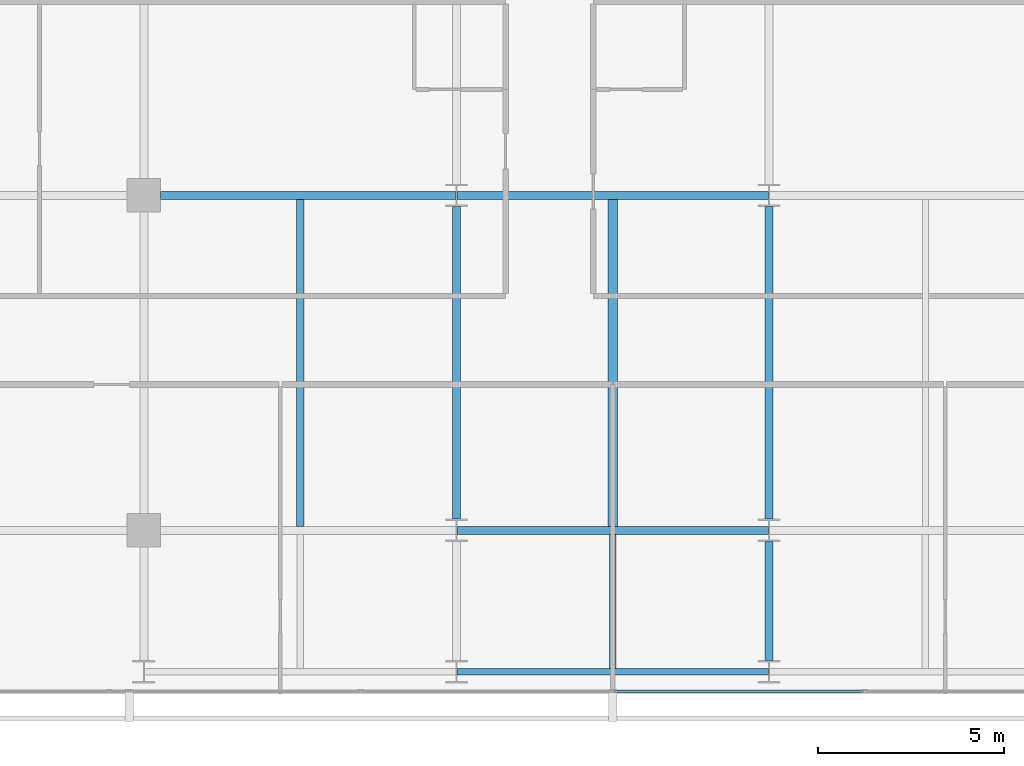
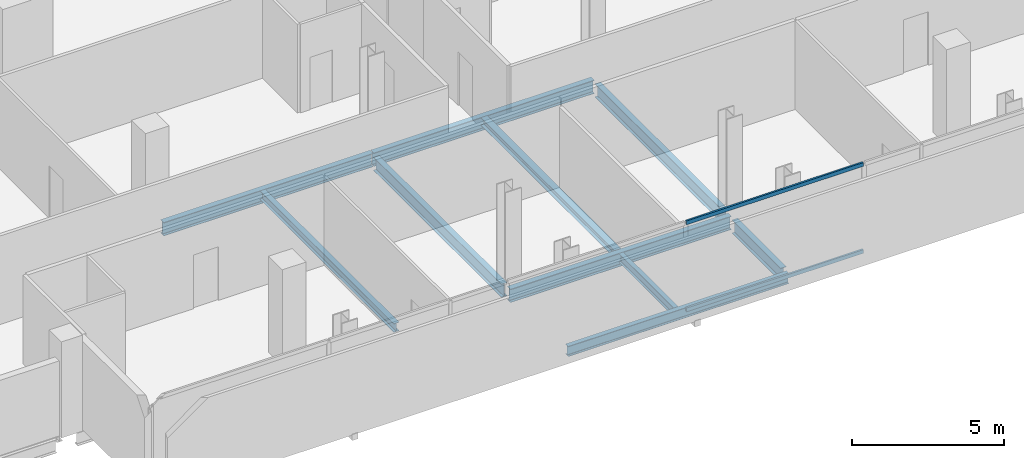
# One storey, part 7 of 32: 10 beams, 2 members, 1 element without a shape of its own.
"""IFC4 building model written with IfcOpenShell, lengths in metres."""

from ifc_helpers import new_model, si_unit, direction, frame, origin, origin_2d, place, context, subcontext, project, spatial, hollow_rectangle, i_section, extrude, material, layer, layer_set, material_profile, profile_set, type_object, element, aggregate, save


model = new_model("IFC4")

# Units and contexts
model_context = context("Model", 3, precision=1e-05, world=origin(), true_north=direction((0.0, 1.0)))
body_context = subcontext(model_context, "Body", "Model", "MODEL_VIEW")
ifc_project = project(units=[si_unit("LENGTHUNIT", "METRE"), si_unit("AREAUNIT", "SQUARE_METRE"), si_unit("VOLUMEUNIT", "CUBIC_METRE"), si_unit("PLANEANGLEUNIT", "RADIAN"), si_unit("MASSUNIT", "GRAM", prefix="KILO")], contexts=[model_context])

# Site, building, storey
site_placement = place(None, origin())
site = spatial("IfcSite", under=ifc_project, at=site_placement, CompositionType="ELEMENT")
building_placement = place(site_placement, origin())
building = spatial("IfcBuilding", under=site, at=building_placement, Name="Maruvema Waterfront Hotel and Observation Tower", CompositionType="ELEMENT")
storey_placement = place(building_placement, frame((0.0, 0.0, 223.64990234375)))
storey = spatial("IfcBuildingStorey", under=building, at=storey_placement, Name="L55", CompositionType="ELEMENT", Elevation=223.64990234375)

# Curtain wall, members
ifc_material_1 = material(Name="Anodised bronze aluminium and solar-control low-E IGU", Category="aluminium")
ifc_layer = layer(ifc_material_1, 0.159912109375, Name="Zone 2 Amber Inner Thermal Curtain Wall System CW-03")
ifc_layer_set = layer_set([ifc_layer], Name="Anodised bronze aluminium and solar-control low-E IGU")
curtain_wall_type = type_object("IfcCurtainWallType", Name="Zone 2 Amber Inner Thermal Curtain Wall System CW-03", PredefinedType="USERDEFINED", material=ifc_layer_set)
curtain_wall_placement = place(storey_placement, origin())
curtain_wall = element("IfcCurtainWall", 1, at=curtain_wall_placement, inside=storey, type_object=curtain_wall_type, Name="L55 Curtain Wall CW-L55-S", ObjectType="UNITISED CURTAIN WALL", PredefinedType="USERDEFINED")
ifc_material_2 = material(Name="Anodised architectural bronze aluminium", Category="aluminium")
ifc_material_profile_1 = material_profile(ifc_material_2, hollow_rectangle(XDim=0.070068359375, YDim=0.14990234375, WallThickness=0.00390625, at=origin_2d()), Name="ALU-T70x150")
ifc_profile_set_1 = profile_set([ifc_material_profile_1], Name="Anodised architectural bronze aluminium")
member_type = type_object("IfcMemberType", Name="Curtain Wall Horizontal Transom ALU-T70x150", PredefinedType="USERDEFINED", material=ifc_profile_set_1)
member_1_placement = place(storey_placement, frame((37.830078125, 4.679931640625, 0.030029296875), z_axis=(1.0, 0.0, 0.0), x_axis=(0.0, 1.0, 0.0)))
member_1 = element("IfcMember", 2, at=member_1_placement, type_object=member_type, Name="CW-03 transom 4.1", ObjectType="TRANSOM", PredefinedType="USERDEFINED", context=body_context, shape_type="SweptSolid", body=[
    extrude(hollow_rectangle(XDim=0.070068359375, YDim=0.14990234375, WallThickness=0.00390625, at=origin_2d()), origin(), (0.0, 0.0, 1.0), 6.70654296875),
])
member_2_placement = place(storey_placement, frame((37.830078125, 4.679931640625, 3.52001953125), z_axis=(1.0, 0.0, 0.0), x_axis=(0.0, 1.0, 0.0)))
member_2 = element("IfcMember", 3, at=member_2_placement, type_object=member_type, Name="CW-03 transom 4.2", ObjectType="TRANSOM", PredefinedType="USERDEFINED", context=body_context, shape_type="SweptSolid", body=[
    extrude(hollow_rectangle(XDim=0.070068359375, YDim=0.14990234375, WallThickness=0.00390625, at=origin_2d()), origin(), (0.0, 0.0, 1.0), 6.70654296875),
])
aggregate(curtain_wall, [member_1, member_2])

# Beams
ifc_material_3 = material(Name="Steel ASTM A572 Grade 50", Category="steel")
ifc_material_profile_2 = material_profile(ifc_material_3, i_section(OverallWidth=0.178955078125, OverallDepth=0.409912109375, WebThickness=0.0087890625, FlangeThickness=0.014404296875, FilletRadius=0.014892578125, at=origin_2d()), Name="W410x67.0")
ifc_profile_set_2 = profile_set([ifc_material_profile_2], Name="Steel ASTM A572 Grade 50")
beam_type_1 = type_object("IfcBeamType", Name="Perimeter Spandrel Beam W410x67.0", PredefinedType="SPANDREL", material=ifc_profile_set_2)
beam_1_placement = place(storey_placement, frame((33.612548828125, 5.199951171875, -0.44482421875), z_axis=(1.0, 0.0, 0.0), x_axis=(0.0, 1.0, 0.0)))
element("IfcBeam", 4, at=beam_1_placement, inside=storey, type_object=beam_type_1, Name="L55 Floor Girder EW-02", PredefinedType="SPANDREL", context=body_context, shape_type="SweptSolid", body=[
    extrude(i_section(OverallWidth=0.178955078125, OverallDepth=0.409912109375, WebThickness=0.0087890625, FlangeThickness=0.014404296875, FilletRadius=0.014892578125, at=origin_2d()), origin(), (0.0, 0.0, 1.0), 8.375),
])
ifc_material_4 = material(Name="Steel ASTM A572 Grade 50", Category="steel")
ifc_material_profile_3 = material_profile(ifc_material_4, i_section(OverallWidth=0.2109375, OverallDepth=0.5390625, WebThickness=0.01171875, FlangeThickness=0.018798828125, FilletRadius=0.014892578125, at=origin_2d()), Name="W530x109.0")
ifc_profile_set_3 = profile_set([ifc_material_profile_3], Name="Steel ASTM A572 Grade 50")
beam_type_2 = type_object("IfcBeamType", Name="Primary Floor Girder W530x109.0", PredefinedType="BEAM", material=ifc_profile_set_3)
beam_2_placement = place(storey_placement, frame((33.612548828125, 9.0, -0.509521484375), z_axis=(1.0, 0.0, 0.0), x_axis=(0.0, 1.0, 0.0)))
element("IfcBeam", 5, at=beam_2_placement, inside=storey, type_object=beam_type_2, Name="L55 Floor Girder EW-07", PredefinedType="BEAM", context=body_context, shape_type="SweptSolid", body=[
    extrude(i_section(OverallWidth=0.2109375, OverallDepth=0.5390625, WebThickness=0.01171875, FlangeThickness=0.018798828125, FilletRadius=0.014892578125, at=origin_2d()), origin(), (0.0, 0.0, 1.0), 8.375),
])
beam_3_placement = place(storey_placement, frame((25.64990234375, 18.0, -0.509521484375), z_axis=(1.0, 0.0, 0.0), x_axis=(0.0, 1.0, 0.0)))
element("IfcBeam", 6, at=beam_3_placement, inside=storey, type_object=beam_type_2, Name="L55 Floor Girder EW-13", PredefinedType="BEAM", context=body_context, shape_type="SweptSolid", body=[
    extrude(i_section(OverallWidth=0.2109375, OverallDepth=0.5390625, WebThickness=0.01171875, FlangeThickness=0.018798828125, FilletRadius=0.014892578125, at=origin_2d()), origin(), (0.0, 0.0, 1.0), 7.9375),
])
beam_4_placement = place(storey_placement, frame((33.612548828125, 18.0, -0.509521484375), z_axis=(1.0, 0.0, 0.0), x_axis=(0.0, 1.0, 0.0)))
element("IfcBeam", 7, at=beam_4_placement, inside=storey, type_object=beam_type_2, Name="L55 Floor Girder EW-14", PredefinedType="BEAM", context=body_context, shape_type="SweptSolid", body=[
    extrude(i_section(OverallWidth=0.2109375, OverallDepth=0.5390625, WebThickness=0.01171875, FlangeThickness=0.018798828125, FilletRadius=0.014892578125, at=origin_2d()), origin(), (0.0, 0.0, 1.0), 8.375),
])
beam_5_placement = place(storey_placement, frame((33.60009765625, 9.300048828125, -0.509521484375), z_axis=(0.0, 1.0, 0.0), x_axis=(-1.0, 0.0, 0.0)))
element("IfcBeam", 8, at=beam_5_placement, inside=storey, type_object=beam_type_2, Name="L55 Floor Girder NS-15", PredefinedType="BEAM", context=body_context, shape_type="SweptSolid", body=[
    extrude(i_section(OverallWidth=0.2109375, OverallDepth=0.5390625, WebThickness=0.01171875, FlangeThickness=0.018798828125, FilletRadius=0.014892578125, at=origin_2d()), origin(), (0.0, 0.0, 1.0), 8.39990234375),
])
beam_6_placement = place(storey_placement, frame((42.0, 5.5, -0.509521484375), z_axis=(0.0, 1.0, 0.0), x_axis=(-1.0, 0.0, 0.0)))
element("IfcBeam", 9, at=beam_6_placement, inside=storey, type_object=beam_type_2, Name="L55 Floor Girder NS-17", PredefinedType="BEAM", context=body_context, shape_type="SweptSolid", body=[
    extrude(i_section(OverallWidth=0.2109375, OverallDepth=0.5390625, WebThickness=0.01171875, FlangeThickness=0.018798828125, FilletRadius=0.014892578125, at=origin_2d()), origin(), (0.0, 0.0, 1.0), 3.199951171875),
])
beam_7_placement = place(storey_placement, frame((42.0, 9.300048828125, -0.509521484375), z_axis=(0.0, 1.0, 0.0), x_axis=(-1.0, 0.0, 0.0)))
element("IfcBeam", 10, at=beam_7_placement, inside=storey, type_object=beam_type_2, Name="L55 Floor Girder NS-18", PredefinedType="BEAM", context=body_context, shape_type="SweptSolid", body=[
    extrude(i_section(OverallWidth=0.2109375, OverallDepth=0.5390625, WebThickness=0.01171875, FlangeThickness=0.018798828125, FilletRadius=0.014892578125, at=origin_2d()), origin(), (0.0, 0.0, 1.0), 8.39990234375),
])
ifc_material_5 = material(Name="Steel ASTM A572 Grade 50", Category="steel")
ifc_material_profile_4 = material_profile(ifc_material_5, i_section(OverallWidth=0.25390625, OverallDepth=0.305908203125, WebThickness=0.0087890625, FlangeThickness=0.0146484375, FilletRadius=0.014892578125, at=origin_2d()), Name="W310x79.0")
ifc_profile_set_4 = profile_set([ifc_material_profile_4], Name="Steel ASTM A572 Grade 50")
beam_type_3 = type_object("IfcBeamType", Name="Secondary Floor Joist W310x79.0", PredefinedType="JOIST", material=ifc_profile_set_4)
beam_8_placement = place(storey_placement, frame((37.800048828125, 9.10546875, -0.392822265625), z_axis=(0.0, 1.0, 0.0), x_axis=(-1.0, 0.0, 0.0)))
element("IfcBeam", 11, at=beam_8_placement, inside=storey, type_object=beam_type_3, Name="L55 Secondary Floor Joist JS-08", PredefinedType="JOIST", context=body_context, shape_type="SweptSolid", body=[
    extrude(i_section(OverallWidth=0.25390625, OverallDepth=0.305908203125, WebThickness=0.0087890625, FlangeThickness=0.0146484375, FilletRadius=0.014892578125, at=origin_2d()), origin(), (0.0, 0.0, 1.0), 8.7890625),
])
ifc_material_6 = material(Name="Steel ASTM A572 Grade 50", Category="steel")
ifc_material_profile_5 = material_profile(ifc_material_6, i_section(OverallWidth=0.1708984375, OverallDepth=0.35498046875, WebThickness=0.007080078125, FlangeThickness=0.01171875, FilletRadius=0.014892578125, at=origin_2d()), Name="W360x51.0")
ifc_profile_set_5 = profile_set([ifc_material_profile_5], Name="Steel ASTM A572 Grade 50")
beam_type_4 = type_object("IfcBeamType", Name="Secondary Floor Joist W360x51.0", PredefinedType="JOIST", material=ifc_profile_set_5)
beam_9_placement = place(storey_placement, frame((37.800048828125, 5.28955078125, -0.41748046875), z_axis=(0.0, 1.0, 0.0), x_axis=(-1.0, 0.0, 0.0)))
element("IfcBeam", 12, at=beam_9_placement, inside=storey, type_object=beam_type_4, Name="L55 Secondary Floor Joist JS-07", PredefinedType="JOIST", context=body_context, shape_type="SweptSolid", body=[
    extrude(i_section(OverallWidth=0.1708984375, OverallDepth=0.35498046875, WebThickness=0.007080078125, FlangeThickness=0.01171875, FilletRadius=0.014892578125, at=origin_2d()), origin(), (0.0, 0.0, 1.0), 3.60498046875),
])
ifc_material_7 = material(Name="Steel ASTM A572 Grade 50", Category="steel")
ifc_material_profile_6 = material_profile(ifc_material_7, i_section(OverallWidth=0.202880859375, OverallDepth=0.346923828125, WebThickness=0.0078125, FlangeThickness=0.013427734375, FilletRadius=0.014892578125, at=origin_2d()), Name="W360x64.0")
ifc_profile_set_6 = profile_set([ifc_material_profile_6], Name="Steel ASTM A572 Grade 50")
beam_type_5 = type_object("IfcBeamType", Name="Secondary Floor Joist W360x64.0", PredefinedType="JOIST", material=ifc_profile_set_6)
beam_10_placement = place(storey_placement, frame((29.39990234375, 9.10546875, -0.413330078125), z_axis=(0.0, 1.0, 0.0), x_axis=(-1.0, 0.0, 0.0)))
element("IfcBeam", 13, at=beam_10_placement, inside=storey, type_object=beam_type_5, Name="L55 Secondary Floor Joist JS-06", PredefinedType="JOIST", context=body_context, shape_type="SweptSolid", body=[
    extrude(i_section(OverallWidth=0.202880859375, OverallDepth=0.346923828125, WebThickness=0.0078125, FlangeThickness=0.013427734375, FilletRadius=0.014892578125, at=origin_2d()), origin(), (0.0, 0.0, 1.0), 8.7890625),
])

save(model, "model.ifc")
